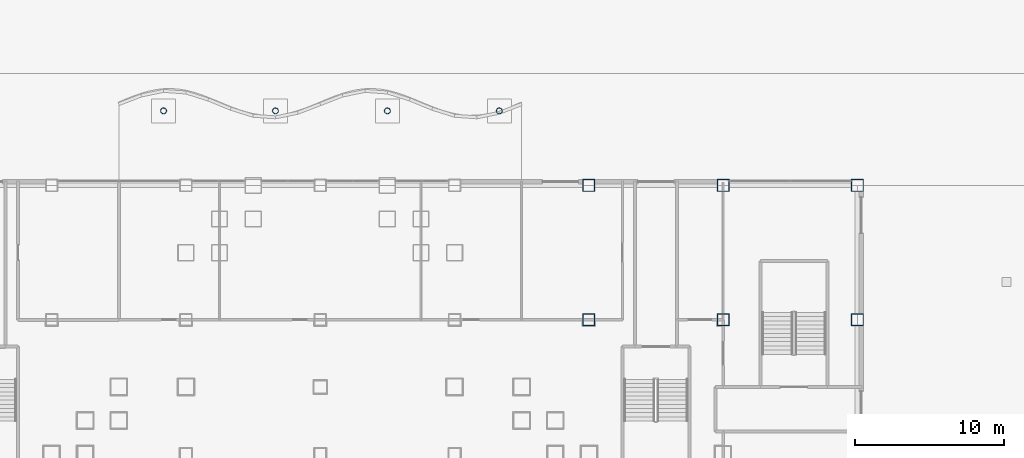
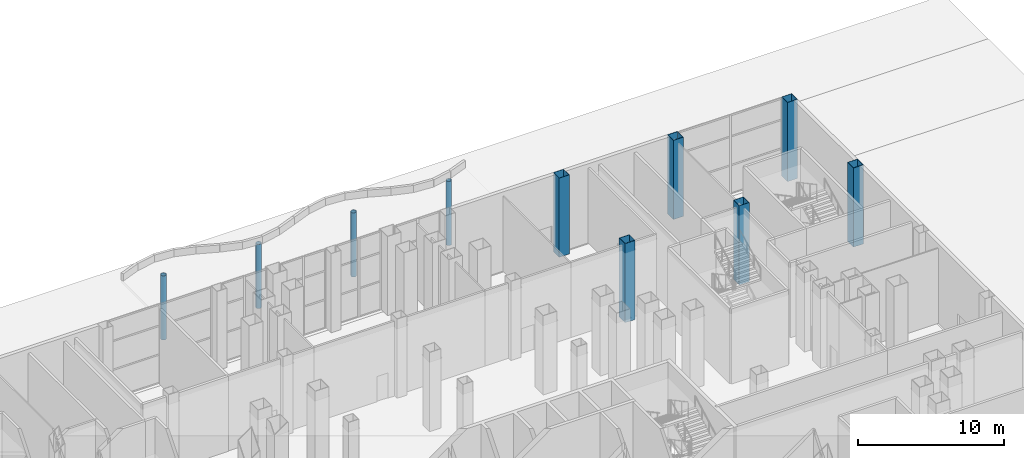
# One storey, part 3 of 38: 10 columns.
"""IFC4 building model written with IfcOpenShell, lengths in metres."""

from ifc_helpers import new_model, si_unit, direction, frame, origin, origin_2d, place, context, subcontext, project, spatial, hollow_rectangle, hollow_circle, extrude, material, material_profile, profile_set, type_object, element, save


model = new_model("IFC4")

# Units and contexts
model_context = context("Model", 3, precision=1e-05, world=origin(), true_north=direction((0.0, 1.0)))
body_context = subcontext(model_context, "Body", "Model", "MODEL_VIEW")
ifc_project = project(units=[si_unit("LENGTHUNIT", "METRE"), si_unit("AREAUNIT", "SQUARE_METRE"), si_unit("VOLUMEUNIT", "CUBIC_METRE"), si_unit("PLANEANGLEUNIT", "RADIAN"), si_unit("MASSUNIT", "GRAM", prefix="KILO")], contexts=[model_context])

# Site, building, storey
site_placement = place(None, origin())
site = spatial("IfcSite", under=ifc_project, at=site_placement, CompositionType="ELEMENT")
building_placement = place(site_placement, origin())
building = spatial("IfcBuilding", under=site, at=building_placement, Name="Caravel Reach Hotel and Residences", CompositionType="ELEMENT")
storey_placement = place(building_placement, origin())
storey = spatial("IfcBuildingStorey", under=building, at=storey_placement, Name="L00", CompositionType="ELEMENT", Elevation=0.0)

# Columns
ifc_material_1 = material(Name="Concrete-filled steel tube Q390B with Concrete C70 infill", Category="concrete")
ifc_material_profile_1 = material_profile(ifc_material_1, hollow_rectangle(XDim=0.800048828125, YDim=0.800048828125, WallThickness=0.02490234375, at=origin_2d()), Name="RHS 800x800x25")
ifc_profile_set_1 = profile_set([ifc_material_profile_1], Name="Concrete-filled steel tube Q390B with Concrete C70 infill")
column_type_1 = type_object("IfcColumnType", Name="CFT 800x800 Q390B C70", PredefinedType="COLUMN", material=ifc_profile_set_1)
for number, where, z_axis, x_axis, name in (
    (1, (49.5, 54.0, 0.0), (0.0, 0.0, 1.0), (1.0, 0.0, 0.0), "C4 column"),
    (2, (58.5, 54.0, 0.0), (0.0, 0.0, 1.0), (1.0, 0.0, 0.0), "C4 column"),
    (3, (67.5, 45.0, 0.0), (0.0, 0.0, 1.0), (1.0, 0.0, 0.0), "C4 column"),
    (4, (67.5, 54.0, 0.0), (0.0, 0.0, 1.0), (1.0, 0.0, 0.0), "C4 column"),
    (5, (49.5, 45.0, 0.0), (0.0, 0.0, 1.0), (1.0, 0.0, 0.0), "C4 column"),
    (6, (58.5, 45.0, 0.0), (0.0, 0.0, 1.0), (1.0, 0.0, 0.0), "C4 column"),
):
    element("IfcColumn", number, at=place(storey_placement, frame(where, z_axis=z_axis, x_axis=x_axis)), inside=storey, type_object=column_type_1, Name=name, PredefinedType="COLUMN", context=body_context, shape_type="SweptSolid", body=[
        extrude(hollow_rectangle(XDim=0.800048828125, YDim=0.800048828125, WallThickness=0.02490234375, at=origin_2d()), origin(), (0.0, 0.0, 1.0), 6.60009765625),
    ])
ifc_material_2 = material(Name="Structural steel Q355B", Category="steel")
ifc_material_profile_2 = material_profile(ifc_material_2, hollow_circle(Radius=0.199951171875, WallThickness=0.01611328125, at=origin_2d()), Name="CN2 Canopy column CHS 400x16")
ifc_profile_set_2 = profile_set([ifc_material_profile_2], Name="Structural steel Q355B")
column_type_2 = type_object("IfcColumnType", Name="CN2 Canopy column CHS 400x16", PredefinedType="COLUMN", material=ifc_profile_set_2)
for number, where, z_axis, x_axis, name in (
    (7, (21.0, 59.0, -0.199951171875), (0.0, 0.0, 1.0), (1.0, 0.0, 0.0), "Canopy column 1"),
    (8, (28.5, 59.0, -0.199951171875), (0.0, 0.0, 1.0), (1.0, 0.0, 0.0), "Canopy column 2"),
    (9, (36.0, 59.0, -0.199951171875), (0.0, 0.0, 1.0), (1.0, 0.0, 0.0), "Canopy column 3"),
    (10, (43.5, 59.0, -0.199951171875), (0.0, 0.0, 1.0), (1.0, 0.0, 0.0), "Canopy column 4"),
):
    element("IfcColumn", number, at=place(storey_placement, frame(where, z_axis=z_axis, x_axis=x_axis)), inside=storey, type_object=column_type_2, Name=name, PredefinedType="COLUMN", context=body_context, shape_type="SweptSolid", body=[
        extrude(hollow_circle(Radius=0.199951171875, WallThickness=0.01611328125, at=origin_2d()), origin(), (0.0, 0.0, 1.0), 5.349853515625),
    ])

save(model, "model.ifc")
